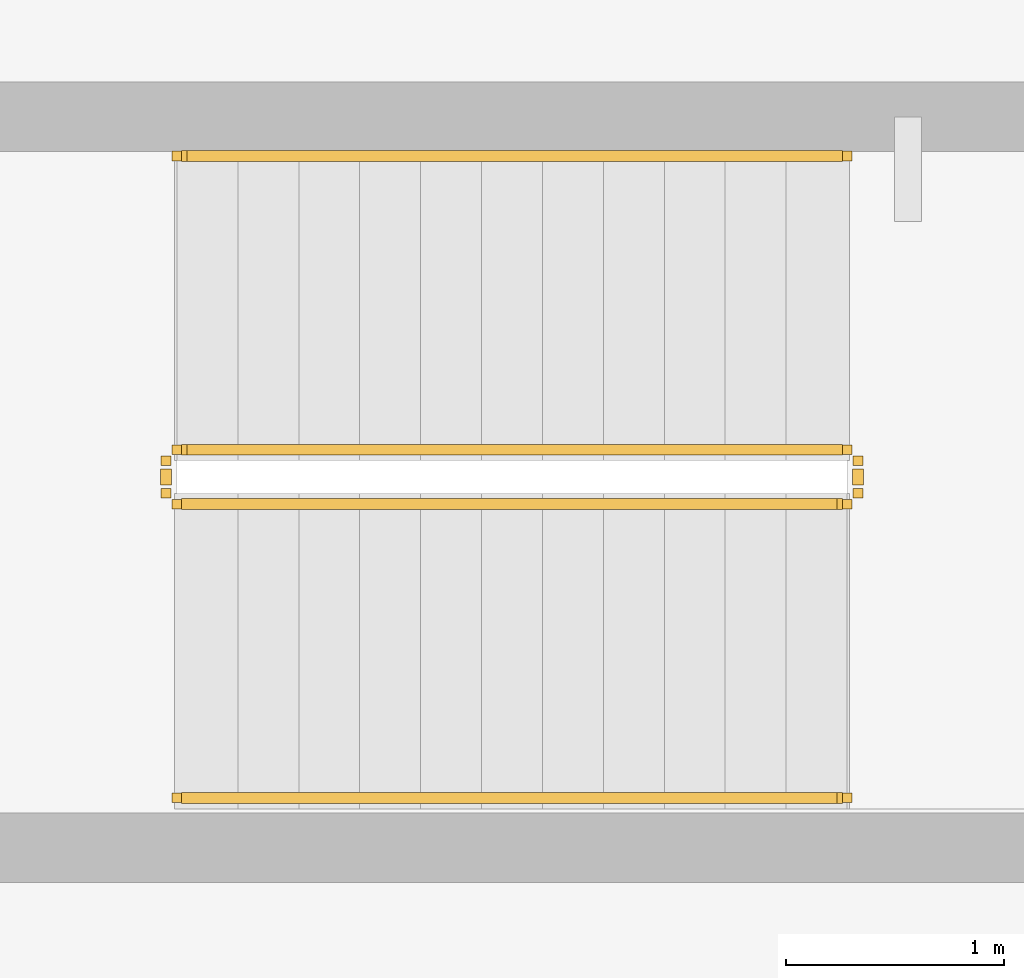
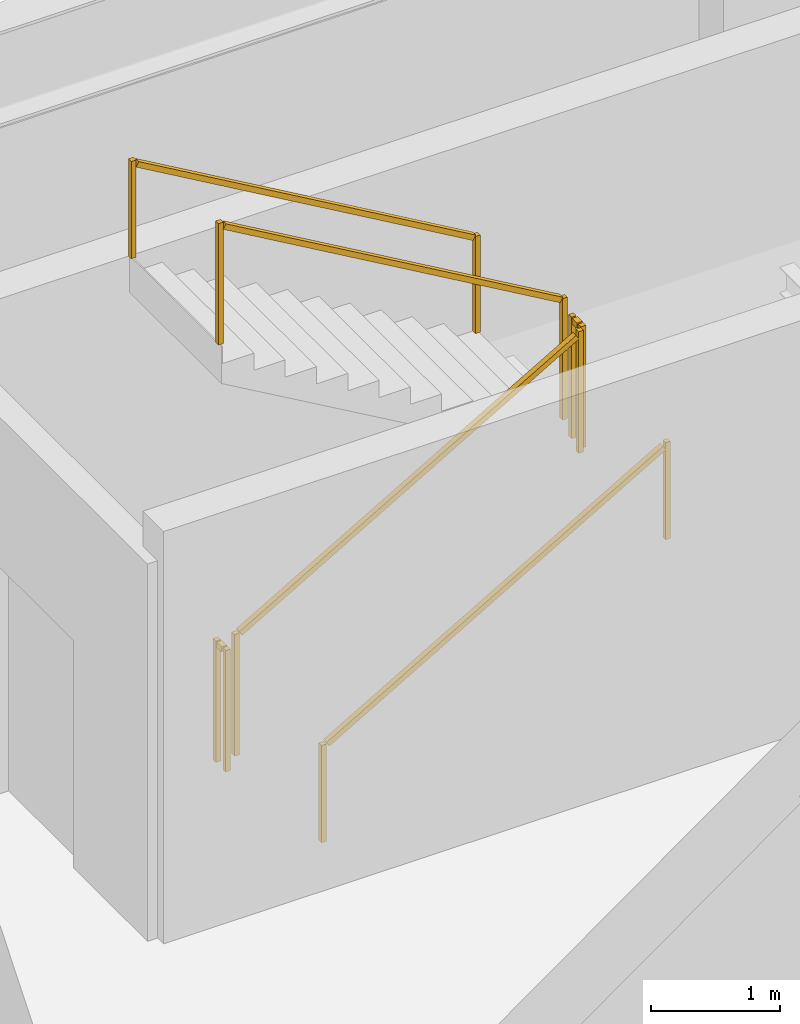
# One storey, part 13 of 15: 6 railings.
"""IFC4 building model written with IfcOpenShell, lengths in metres."""

from ifc_helpers import new_model, si_unit, direction, frame, origin, origin_2d, place, context, subcontext, project, spatial, rectangle, extrude, material, type_object, element, save


model = new_model("IFC4")

# Units and contexts
model_context = context("Model", 3, precision=1e-05, world=origin(), true_north=direction((0.0, 1.0)))
body_context = subcontext(model_context, "Body", "Model", "MODEL_VIEW")
ifc_project = project(units=[si_unit("LENGTHUNIT", "METRE"), si_unit("AREAUNIT", "SQUARE_METRE"), si_unit("VOLUMEUNIT", "CUBIC_METRE"), si_unit("PLANEANGLEUNIT", "RADIAN"), si_unit("MASSUNIT", "GRAM", prefix="KILO")], contexts=[model_context])

# Site, building, storey
site_placement = place(None, origin())
site = spatial("IfcSite", under=ifc_project, at=site_placement, CompositionType="ELEMENT")
building_placement = place(site_placement, origin())
building = spatial("IfcBuilding", under=site, at=building_placement, Name="Yunling Apex Tower", CompositionType="ELEMENT")
storey_placement = place(building_placement, frame((0.0, 0.0, 8.39990234375)))
storey = spatial("IfcBuildingStorey", under=building, at=storey_placement, Name="L03", CompositionType="ELEMENT", Elevation=8.39990234375)

# Railings
ifc_material_1 = material(Name="Steel Q355B", Category="steel")
railing_type_1 = type_object("IfcRailingType", Name="RL-GRD-1150", PredefinedType="GUARDRAIL", material=ifc_material_1)
railing_1_placement = place(storey_placement, frame((-30.050048828125, 24.199951171875, 0.16259765625)))
element("IfcRailing", 1, at=railing_1_placement, inside=storey, type_object=railing_type_1, Name="L03 ST-G1 stair guard 1", PredefinedType="GUARDRAIL", context=body_context, shape_type="SweptSolid", body=[
    extrude(rectangle(XDim=0.0439453125, YDim=0.0439453125, at=origin_2d()), origin(), (0.0, 0.0, 1.0), 1.14990234375),
    extrude(rectangle(XDim=0.0439453125, YDim=0.0439453125, at=origin_2d()), frame((3.080078125, 0.0, 1.78759765625)), (0.0, 0.0, 1.0), 1.14990234375),
    extrude(rectangle(XDim=0.050048828125, YDim=0.050048828125, at=origin_2d()), frame((0.033203125, 0.0, 1.14404296875), z_axis=(0.864890721111, 0.0, 0.501960198159), x_axis=(0.0, 1.0, 0.0)), (0.0, 0.0, 1.0), 3.484619140625),
])
railing_2_placement = place(storey_placement, frame((-26.919921875, 24.25, 1.9501953125)))
element("IfcRailing", 2, at=railing_2_placement, inside=storey, type_object=railing_type_1, Name="L03 ST-G1 stair guard 2", PredefinedType="GUARDRAIL", context=body_context, shape_type="SweptSolid", body=[
    extrude(rectangle(XDim=0.0439453125, YDim=0.0439453125, at=origin_2d()), origin(), (0.0, 0.0, 1.0), 1.14990234375),
    extrude(rectangle(XDim=0.0439453125, YDim=0.0439453125, at=origin_2d()), frame((0.0, 0.14990234375, 0.0)), (0.0, 0.0, 1.0), 1.14990234375),
    extrude(rectangle(XDim=0.050048828125, YDim=0.050048828125, at=origin_2d()), frame((0.0, 0.038330078125, 1.125), z_axis=(0.0, 1.0, 0.0), x_axis=(-1.0, 0.0, 0.0)), (0.0, 0.0, 1.0), 0.0732421875),
])
railing_3_placement = place(storey_placement, frame((-26.969970703125, 24.449951171875, 2.112548828125)))
element("IfcRailing", 3, at=railing_3_placement, inside=storey, type_object=railing_type_1, Name="L03 ST-G1 stair guard 3", PredefinedType="GUARDRAIL", context=body_context, shape_type="SweptSolid", body=[
    extrude(rectangle(XDim=0.0439453125, YDim=0.0439453125, at=origin_2d()), origin(), (0.0, 0.0, 1.0), 1.14990234375),
    extrude(rectangle(XDim=0.0439453125, YDim=0.0439453125, at=origin_2d()), frame((-3.080078125, 0.0, 1.78759765625)), (0.0, 0.0, 1.0), 1.14990234375),
    extrude(rectangle(XDim=0.050048828125, YDim=0.050048828125, at=origin_2d()), frame((-0.033203125, 0.0, 1.14404296875), z_axis=(-0.864890721111, 0.0, 0.501960198159), x_axis=(0.0, -1.0, 0.0)), (0.0, 0.0, 1.0), 3.484619140625),
])
railing_4_placement = place(storey_placement, frame((-30.10009765625, 24.25, 0.0)))
element("IfcRailing", 4, at=railing_4_placement, inside=storey, type_object=railing_type_1, Name="L03 ST-G1 stair guard 4", PredefinedType="GUARDRAIL", context=body_context, shape_type="SweptSolid", body=[
    extrude(rectangle(XDim=0.0439453125, YDim=0.0439453125, at=origin_2d()), origin(), (0.0, 0.0, 1.0), 1.14990234375),
    extrude(rectangle(XDim=0.0439453125, YDim=0.0439453125, at=origin_2d()), frame((0.0, 0.14990234375, 0.0)), (0.0, 0.0, 1.0), 1.14990234375),
    extrude(rectangle(XDim=0.050048828125, YDim=0.050048828125, at=origin_2d()), frame((0.0, 0.038330078125, 1.125), z_axis=(0.0, 1.0, 0.0), x_axis=(-1.0, 0.0, 0.0)), (0.0, 0.0, 1.0), 0.0732421875),
])
ifc_material_2 = material(Name="Silver anodised aluminium", Category="aluminium")
railing_type_2 = type_object("IfcRailingType", Name="RL-HND-900", PredefinedType="HANDRAIL", material=ifc_material_2)
railing_5_placement = place(storey_placement, frame((-30.050048828125, 22.85009765625, 0.16259765625)))
element("IfcRailing", 5, at=railing_5_placement, inside=storey, type_object=railing_type_2, Name="L03 ST-G1 stair handrail 1", PredefinedType="HANDRAIL", context=body_context, shape_type="SweptSolid", body=[
    extrude(rectangle(XDim=0.0439453125, YDim=0.0439453125, at=origin_2d()), origin(), (0.0, 0.0, 1.0), 0.919921875),
    extrude(rectangle(XDim=0.0439453125, YDim=0.0439453125, at=origin_2d()), frame((3.080078125, 0.0, 1.78759765625)), (0.0, 0.0, 1.0), 0.919921875),
    extrude(rectangle(XDim=0.050048828125, YDim=0.050048828125, at=origin_2d()), frame((0.033203125, 0.0, 0.9140625), z_axis=(0.864890721111, 0.0, 0.501960198159), x_axis=(0.0, 1.0, 0.0)), (0.0, 0.0, 1.0), 3.484619140625),
])
railing_6_placement = place(storey_placement, frame((-26.969970703125, 25.800048828125, 2.112548828125)))
element("IfcRailing", 6, at=railing_6_placement, inside=storey, type_object=railing_type_2, Name="L03 ST-G1 stair handrail 2", PredefinedType="HANDRAIL", context=body_context, shape_type="SweptSolid", body=[
    extrude(rectangle(XDim=0.0439453125, YDim=0.0439453125, at=origin_2d()), origin(), (0.0, 0.0, 1.0), 0.919921875),
    extrude(rectangle(XDim=0.0439453125, YDim=0.0439453125, at=origin_2d()), frame((-3.080078125, 0.0, 1.78759765625)), (0.0, 0.0, 1.0), 0.919921875),
    extrude(rectangle(XDim=0.050048828125, YDim=0.050048828125, at=origin_2d()), frame((-0.033203125, 0.0, 0.9140625), z_axis=(-0.864890721111, 0.0, 0.501960198159), x_axis=(0.0, -1.0, 0.0)), (0.0, 0.0, 1.0), 3.484619140625),
])

save(model, "model.ifc")
